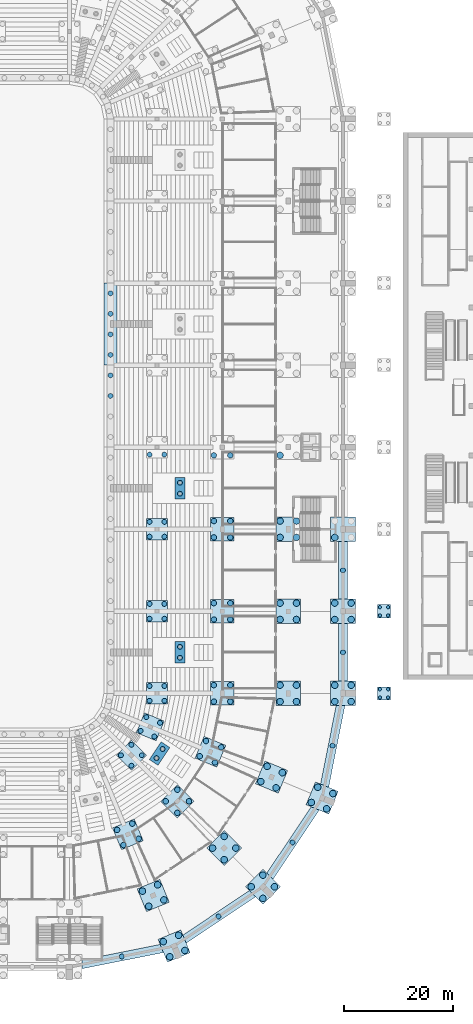
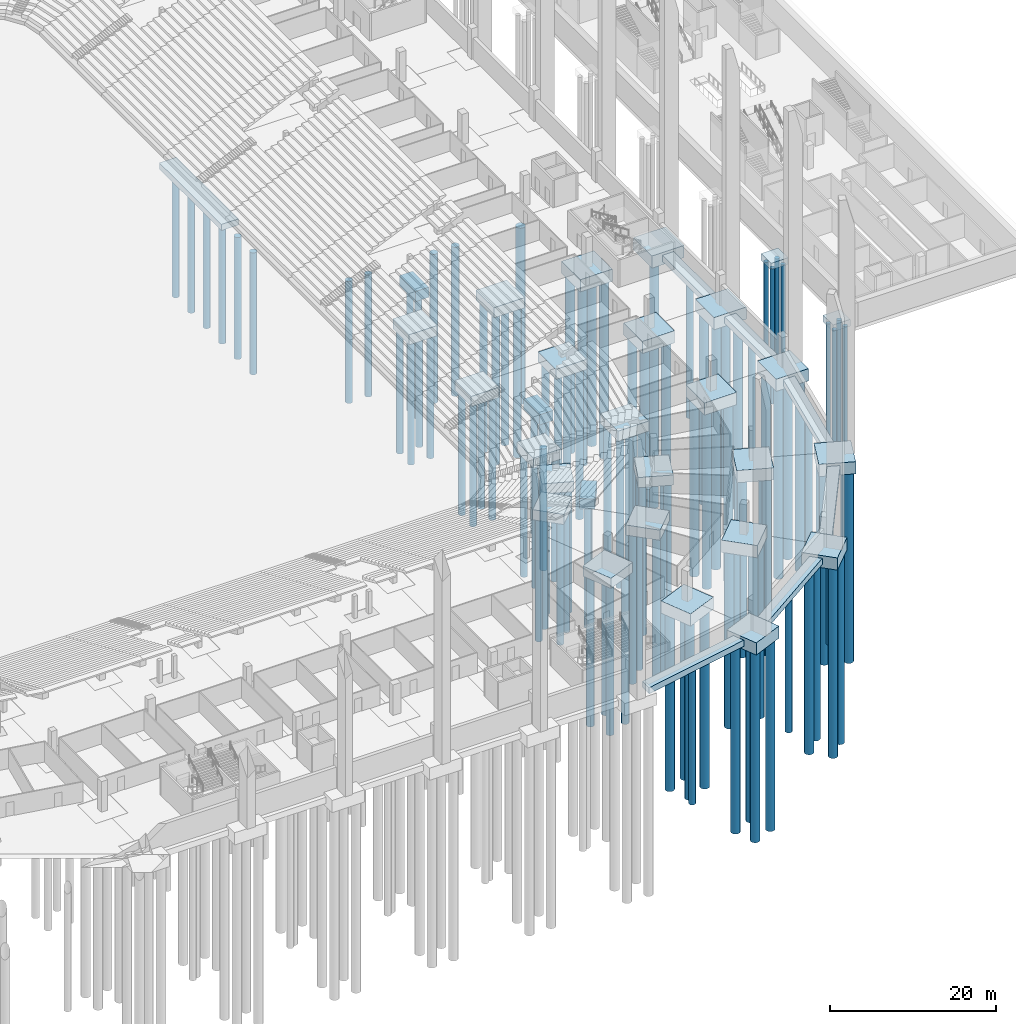
# One storey, part 4 of 115: 120 piles, 35 footings.
"""IFC4 building model written with IfcOpenShell, lengths in metres."""

from ifc_helpers import new_model, si_unit, direction, frame, origin, origin_2d, place, context, subcontext, project, spatial, polyline, rectangle, circle, outline, extrude, material, layer, layer_set, material_profile, profile_set, type_object, element, save


model = new_model("IFC4")

# Units and contexts
model_context = context("Model", 3, precision=1e-05, world=origin(), true_north=direction((0.0, 1.0)))
body_context = subcontext(model_context, "Body", "Model", "MODEL_VIEW")
ifc_project = project(units=[si_unit("LENGTHUNIT", "METRE"), si_unit("AREAUNIT", "SQUARE_METRE"), si_unit("VOLUMEUNIT", "CUBIC_METRE"), si_unit("PLANEANGLEUNIT", "RADIAN"), si_unit("MASSUNIT", "GRAM", prefix="KILO")], contexts=[model_context])

# Site, building, storey
site_placement = place(None, origin())
site = spatial("IfcSite", under=ifc_project, at=site_placement, CompositionType="ELEMENT")
building_placement = place(site_placement, origin())
building = spatial("IfcBuilding", under=site, at=building_placement, Name="Ogive Plaza Stadium", CompositionType="ELEMENT")
storey_placement = place(building_placement, frame((0.0, 0.0, -4.5)))
storey = spatial("IfcBuildingStorey", under=building, at=storey_placement, Name="B1", CompositionType="ELEMENT", Elevation=-4.5)

# Piles
ifc_material_1 = material(Name="Concrete C40/50", Category="concrete")
ifc_material_profile_1 = material_profile(ifc_material_1, circle(Radius=0.5, at=origin_2d()), Name="RC D1000")
ifc_profile_set_1 = profile_set([ifc_material_profile_1], Name="Concrete C40/50")
pile_type_1 = type_object("IfcPileType", Name="Bored pile D1000", PredefinedType="BORED", material=ifc_profile_set_1)
for number, where, z_axis, x_axis, name in (
    (1, (60.39990234375, -9.0, -1.5), (0.0, 0.0, -1.0), (1.0, 0.0, 0.0), "Bored pile F3:R05 1"),
    (2, (63.39990234375, -9.0, -1.5), (0.0, 0.0, -1.0), (1.0, 0.0, 0.0), "Bored pile F3:R05 3"),
    (3, (60.39990234375, -24.0, -1.5), (0.0, 0.0, -1.0), (1.0, 0.0, 0.0), "Bored pile F3:R06 1"),
    (4, (60.39990234375, -21.0, -1.5), (0.0, 0.0, -1.0), (1.0, 0.0, 0.0), "Bored pile F3:R06 2"),
    (5, (63.39990234375, -24.0, -1.5), (0.0, 0.0, -1.0), (1.0, 0.0, 0.0), "Bored pile F3:R06 3"),
    (6, (63.39990234375, -21.0, -1.5), (0.0, 0.0, -1.0), (1.0, 0.0, 0.0), "Bored pile F3:R06 4"),
    (7, (60.39990234375, -39.0, -1.5), (0.0, 0.0, -1.0), (1.0, 0.0, 0.0), "Bored pile F3:R07 1"),
    (8, (60.39990234375, -36.0, -1.5), (0.0, 0.0, -1.0), (1.0, 0.0, 0.0), "Bored pile F3:R07 2"),
    (9, (63.39990234375, -39.0, -1.5), (0.0, 0.0, -1.0), (1.0, 0.0, 0.0), "Bored pile F3:R07 3"),
    (10, (63.39990234375, -36.0, -1.5), (0.0, 0.0, -1.0), (1.0, 0.0, 0.0), "Bored pile F3:R07 4"),
    (11, (60.39990234375, -54.0, -1.5), (0.0, 0.0, -1.0), (1.0, 0.0, 0.0), "Bored pile F3:R08 1"),
    (12, (60.39990234375, -51.0, -1.5), (0.0, 0.0, -1.0), (1.0, 0.0, 0.0), "Bored pile F3:R08 2"),
    (13, (63.39990234375, -54.0, -1.5), (0.0, 0.0, -1.0), (1.0, 0.0, 0.0), "Bored pile F3:R08 3"),
    (14, (63.39990234375, -51.0, -1.5), (0.0, 0.0, -1.0), (1.0, 0.0, 0.0), "Bored pile F3:R08 4"),
    (15, (57.81640625, -63.98876953125, -1.5), (0.0, 0.0, -1.0), (1.0, 0.0, 0.0), "Bored pile F3:R09 1"),
    (16, (58.96435546875, -61.217041015625, -1.5), (0.0, 0.0, -1.0), (1.0, 0.0, 0.0), "Bored pile F3:R09 2"),
    (17, (60.588134765625, -65.13671875, -1.5), (0.0, 0.0, -1.0), (1.0, 0.0, 0.0), "Bored pile F3:R09 3"),
    (18, (61.736083984375, -62.364990234375, -1.5), (0.0, 0.0, -1.0), (1.0, 0.0, 0.0), "Bored pile F3:R09 4"),
    (19, (51.60693359375, -72.228271484375, -1.5), (0.0, 0.0, -1.0), (1.0, 0.0, 0.0), "Bored pile F3:R10 1"),
    (20, (53.728271484375, -70.10693359375, -1.5), (0.0, 0.0, -1.0), (1.0, 0.0, 0.0), "Bored pile F3:R10 2"),
    (21, (53.728271484375, -74.349609375, -1.5), (0.0, 0.0, -1.0), (1.0, 0.0, 0.0), "Bored pile F3:R10 3"),
    (22, (55.849609375, -72.228271484375, -1.5), (0.0, 0.0, -1.0), (1.0, 0.0, 0.0), "Bored pile F3:R10 4"),
    (23, (42.717041015625, -77.46435546875, -1.5), (0.0, 0.0, -1.0), (1.0, 0.0, 0.0), "Bored pile F3:R11 1"),
    (24, (45.48876953125, -76.31640625, -1.5), (0.0, 0.0, -1.0), (1.0, 0.0, 0.0), "Bored pile F3:R11 2"),
    (25, (43.864990234375, -80.236083984375, -1.5), (0.0, 0.0, -1.0), (1.0, 0.0, 0.0), "Bored pile F3:R11 3"),
    (26, (46.63671875, -79.088134765625, -1.5), (0.0, 0.0, -1.0), (1.0, 0.0, 0.0), "Bored pile F3:R11 4"),
):
    element("IfcPile", number, at=place(storey_placement, frame(where, z_axis=z_axis, x_axis=x_axis)), inside=storey, type_object=pile_type_1, Name=name, PredefinedType="BORED", context=body_context, shape_type="SweptSolid", body=[
        extrude(circle(Radius=0.5, at=origin_2d()), origin(), (0.0, 0.0, 1.0), 22.0),
    ])
ifc_material_2 = material(Name="Concrete C40/50", Category="concrete")
ifc_material_profile_2 = material_profile(ifc_material_2, circle(Radius=0.60009765625, at=origin_2d()), Name="RC D1200")
ifc_profile_set_2 = profile_set([ifc_material_profile_2], Name="Concrete C40/50")
pile_type_2 = type_object("IfcPileType", Name="Bored pile D1200", PredefinedType="BORED", material=ifc_profile_set_2)
for number, where, z_axis, x_axis, name in (
    (27, (72.5, -9.0, -1.800048828125), (0.0, 0.0, -1.0), (1.0, 0.0, 0.0), "Bored pile F4:R05 1"),
    (28, (72.5, -24.0, -1.800048828125), (0.0, 0.0, -1.0), (1.0, 0.0, 0.0), "Bored pile F4:R06 1"),
    (29, (72.5, -21.0, -1.800048828125), (0.0, 0.0, -1.0), (1.0, 0.0, 0.0), "Bored pile F4:R06 2"),
    (30, (75.5, -24.0, -1.800048828125), (0.0, 0.0, -1.0), (1.0, 0.0, 0.0), "Bored pile F4:R06 3"),
    (31, (75.5, -21.0, -1.800048828125), (0.0, 0.0, -1.0), (1.0, 0.0, 0.0), "Bored pile F4:R06 4"),
):
    element("IfcPile", number, at=place(storey_placement, frame(where, z_axis=z_axis, x_axis=x_axis)), inside=storey, type_object=pile_type_2, Name=name, PredefinedType="BORED", context=body_context, shape_type="SweptSolid", body=[
        extrude(circle(Radius=0.60009765625, at=origin_2d()), origin(), (0.0, 0.0, 1.0), 26.0),
    ])
pile_placement = place(storey_placement, frame((82.5, -24.0, -1.800048828125), z_axis=(0.0, 0.0, -1.0), x_axis=(1.0, 0.0, 0.0)))
element("IfcPile", 32, at=pile_placement, inside=storey, type_object=pile_type_2, Name="Bored pile F5:R06 1", PredefinedType="BORED", context=body_context, shape_type="SweptSolid", body=[
    extrude(circle(Radius=0.60009765625, at=origin_2d()), origin(), (0.0, 0.0, 1.0), 28.0),
])
for number, where, z_axis, x_axis, name in (
    (33, (72.5, -39.0, -1.800048828125), (0.0, 0.0, -1.0), (1.0, 0.0, 0.0), "Bored pile F4:R07 1"),
    (34, (72.5, -36.0, -1.800048828125), (0.0, 0.0, -1.0), (1.0, 0.0, 0.0), "Bored pile F4:R07 2"),
    (35, (75.5, -39.0, -1.800048828125), (0.0, 0.0, -1.0), (1.0, 0.0, 0.0), "Bored pile F4:R07 3"),
    (36, (75.5, -36.0, -1.800048828125), (0.0, 0.0, -1.0), (1.0, 0.0, 0.0), "Bored pile F4:R07 4"),
):
    element("IfcPile", number, at=place(storey_placement, frame(where, z_axis=z_axis, x_axis=x_axis)), inside=storey, type_object=pile_type_2, Name=name, PredefinedType="BORED", context=body_context, shape_type="SweptSolid", body=[
        extrude(circle(Radius=0.60009765625, at=origin_2d()), origin(), (0.0, 0.0, 1.0), 26.0),
    ])
for number, where, z_axis, x_axis, name in (
    (37, (82.5, -39.0, -1.800048828125), (0.0, 0.0, -1.0), (1.0, 0.0, 0.0), "Bored pile F5:R07 1"),
    (38, (82.5, -36.0, -1.800048828125), (0.0, 0.0, -1.0), (1.0, 0.0, 0.0), "Bored pile F5:R07 2"),
    (39, (85.5, -39.0, -1.800048828125), (0.0, 0.0, -1.0), (1.0, 0.0, 0.0), "Bored pile F5:R07 3"),
    (40, (85.5, -36.0, -1.800048828125), (0.0, 0.0, -1.0), (1.0, 0.0, 0.0), "Bored pile F5:R07 4"),
):
    element("IfcPile", number, at=place(storey_placement, frame(where, z_axis=z_axis, x_axis=x_axis)), inside=storey, type_object=pile_type_2, Name=name, PredefinedType="BORED", context=body_context, shape_type="SweptSolid", body=[
        extrude(circle(Radius=0.60009765625, at=origin_2d()), origin(), (0.0, 0.0, 1.0), 28.0),
    ])
for number, where, z_axis, x_axis, name in (
    (41, (72.5, -54.0, -1.800048828125), (0.0, 0.0, -1.0), (1.0, 0.0, 0.0), "Bored pile F4:R08 1"),
    (42, (72.5, -51.0, -1.800048828125), (0.0, 0.0, -1.0), (1.0, 0.0, 0.0), "Bored pile F4:R08 2"),
    (43, (75.5, -54.0, -1.800048828125), (0.0, 0.0, -1.0), (1.0, 0.0, 0.0), "Bored pile F4:R08 3"),
    (44, (75.5, -51.0, -1.800048828125), (0.0, 0.0, -1.0), (1.0, 0.0, 0.0), "Bored pile F4:R08 4"),
):
    element("IfcPile", number, at=place(storey_placement, frame(where, z_axis=z_axis, x_axis=x_axis)), inside=storey, type_object=pile_type_2, Name=name, PredefinedType="BORED", context=body_context, shape_type="SweptSolid", body=[
        extrude(circle(Radius=0.60009765625, at=origin_2d()), origin(), (0.0, 0.0, 1.0), 26.0),
    ])
for number, where, z_axis, x_axis, name in (
    (45, (82.5, -54.0, -1.800048828125), (0.0, 0.0, -1.0), (1.0, 0.0, 0.0), "Bored pile F5:R08 1"),
    (46, (82.5, -51.0, -1.800048828125), (0.0, 0.0, -1.0), (1.0, 0.0, 0.0), "Bored pile F5:R08 2"),
    (47, (85.5, -54.0, -1.800048828125), (0.0, 0.0, -1.0), (1.0, 0.0, 0.0), "Bored pile F5:R08 3"),
    (48, (85.5, -51.0, -1.800048828125), (0.0, 0.0, -1.0), (1.0, 0.0, 0.0), "Bored pile F5:R08 4"),
):
    element("IfcPile", number, at=place(storey_placement, frame(where, z_axis=z_axis, x_axis=x_axis)), inside=storey, type_object=pile_type_2, Name=name, PredefinedType="BORED", context=body_context, shape_type="SweptSolid", body=[
        extrude(circle(Radius=0.60009765625, at=origin_2d()), origin(), (0.0, 0.0, 1.0), 28.0),
    ])
for number, where, z_axis, x_axis, name in (
    (49, (68.995361328125, -68.619140625, -1.800048828125), (0.0, 0.0, -1.0), (1.0, 0.0, 0.0), "Bored pile F4:R09 1"),
    (50, (70.143310546875, -65.847412109375, -1.800048828125), (0.0, 0.0, -1.0), (1.0, 0.0, 0.0), "Bored pile F4:R09 2"),
    (51, (71.76708984375, -69.76708984375, -1.800048828125), (0.0, 0.0, -1.0), (1.0, 0.0, 0.0), "Bored pile F4:R09 3"),
    (52, (72.9150390625, -66.99560546875, -1.800048828125), (0.0, 0.0, -1.0), (1.0, 0.0, 0.0), "Bored pile F4:R09 4"),
):
    element("IfcPile", number, at=place(storey_placement, frame(where, z_axis=z_axis, x_axis=x_axis)), inside=storey, type_object=pile_type_2, Name=name, PredefinedType="BORED", context=body_context, shape_type="SweptSolid", body=[
        extrude(circle(Radius=0.60009765625, at=origin_2d()), origin(), (0.0, 0.0, 1.0), 26.0),
    ])
for number, where, z_axis, x_axis, name in (
    (53, (78.234130859375, -72.446044921875, -1.800048828125), (0.0, 0.0, -1.0), (1.0, 0.0, 0.0), "Bored pile F5:R09 1"),
    (54, (79.382080078125, -69.67431640625, -1.800048828125), (0.0, 0.0, -1.0), (1.0, 0.0, 0.0), "Bored pile F5:R09 2"),
    (55, (81.005859375, -73.593994140625, -1.800048828125), (0.0, 0.0, -1.0), (1.0, 0.0, 0.0), "Bored pile F5:R09 3"),
    (56, (82.15380859375, -70.822265625, -1.800048828125), (0.0, 0.0, -1.0), (1.0, 0.0, 0.0), "Bored pile F5:R09 4"),
):
    element("IfcPile", number, at=place(storey_placement, frame(where, z_axis=z_axis, x_axis=x_axis)), inside=storey, type_object=pile_type_2, Name=name, PredefinedType="BORED", context=body_context, shape_type="SweptSolid", body=[
        extrude(circle(Radius=0.60009765625, at=origin_2d()), origin(), (0.0, 0.0, 1.0), 28.0),
    ])
for number, where, z_axis, x_axis, name in (
    (57, (60.162841796875, -80.7841796875, -1.800048828125), (0.0, 0.0, -1.0), (1.0, 0.0, 0.0), "Bored pile F4:R10 1"),
    (58, (62.2841796875, -78.662841796875, -1.800048828125), (0.0, 0.0, -1.0), (1.0, 0.0, 0.0), "Bored pile F4:R10 2"),
    (59, (62.2841796875, -82.905517578125, -1.800048828125), (0.0, 0.0, -1.0), (1.0, 0.0, 0.0), "Bored pile F4:R10 3"),
    (60, (64.405517578125, -80.7841796875, -1.800048828125), (0.0, 0.0, -1.0), (1.0, 0.0, 0.0), "Bored pile F4:R10 4"),
):
    element("IfcPile", number, at=place(storey_placement, frame(where, z_axis=z_axis, x_axis=x_axis)), inside=storey, type_object=pile_type_2, Name=name, PredefinedType="BORED", context=body_context, shape_type="SweptSolid", body=[
        extrude(circle(Radius=0.60009765625, at=origin_2d()), origin(), (0.0, 0.0, 1.0), 26.0),
    ])
for number, where, z_axis, x_axis, name in (
    (61, (67.234130859375, -87.855224609375, -1.800048828125), (0.0, 0.0, -1.0), (1.0, 0.0, 0.0), "Bored pile F5:R10 1"),
    (62, (69.355224609375, -85.734130859375, -1.800048828125), (0.0, 0.0, -1.0), (1.0, 0.0, 0.0), "Bored pile F5:R10 2"),
    (63, (69.355224609375, -89.9765625, -1.800048828125), (0.0, 0.0, -1.0), (1.0, 0.0, 0.0), "Bored pile F5:R10 3"),
    (64, (71.4765625, -87.855224609375, -1.800048828125), (0.0, 0.0, -1.0), (1.0, 0.0, 0.0), "Bored pile F5:R10 4"),
):
    element("IfcPile", number, at=place(storey_placement, frame(where, z_axis=z_axis, x_axis=x_axis)), inside=storey, type_object=pile_type_2, Name=name, PredefinedType="BORED", context=body_context, shape_type="SweptSolid", body=[
        extrude(circle(Radius=0.60009765625, at=origin_2d()), origin(), (0.0, 0.0, 1.0), 28.0),
    ])
for number, where, z_axis, x_axis, name in (
    (65, (47.347412109375, -88.643310546875, -1.800048828125), (0.0, 0.0, -1.0), (1.0, 0.0, 0.0), "Bored pile F4:R11 1"),
    (66, (50.119140625, -87.495361328125, -1.800048828125), (0.0, 0.0, -1.0), (1.0, 0.0, 0.0), "Bored pile F4:R11 2"),
    (67, (48.49560546875, -91.4150390625, -1.800048828125), (0.0, 0.0, -1.0), (1.0, 0.0, 0.0), "Bored pile F4:R11 3"),
    (68, (51.26708984375, -90.26708984375, -1.800048828125), (0.0, 0.0, -1.0), (1.0, 0.0, 0.0), "Bored pile F4:R11 4"),
):
    element("IfcPile", number, at=place(storey_placement, frame(where, z_axis=z_axis, x_axis=x_axis)), inside=storey, type_object=pile_type_2, Name=name, PredefinedType="BORED", context=body_context, shape_type="SweptSolid", body=[
        extrude(circle(Radius=0.60009765625, at=origin_2d()), origin(), (0.0, 0.0, 1.0), 26.0),
    ])
for number, where, z_axis, x_axis, name in (
    (69, (51.17431640625, -97.882080078125, -1.800048828125), (0.0, 0.0, -1.0), (1.0, 0.0, 0.0), "Bored pile F5:R11 1"),
    (70, (53.946044921875, -96.734130859375, -1.800048828125), (0.0, 0.0, -1.0), (1.0, 0.0, 0.0), "Bored pile F5:R11 2"),
    (71, (52.322265625, -100.65380859375, -1.800048828125), (0.0, 0.0, -1.0), (1.0, 0.0, 0.0), "Bored pile F5:R11 3"),
    (72, (55.093994140625, -99.505859375, -1.800048828125), (0.0, 0.0, -1.0), (1.0, 0.0, 0.0), "Bored pile F5:R11 4"),
):
    element("IfcPile", number, at=place(storey_placement, frame(where, z_axis=z_axis, x_axis=x_axis)), inside=storey, type_object=pile_type_2, Name=name, PredefinedType="BORED", context=body_context, shape_type="SweptSolid", body=[
        extrude(circle(Radius=0.60009765625, at=origin_2d()), origin(), (0.0, 0.0, 1.0), 28.0),
    ])
ifc_material_3 = material(Name="Concrete C40/50", Category="concrete")
ifc_material_profile_3 = material_profile(ifc_material_3, circle(Radius=0.300048828125, at=origin_2d()), Name="RC D600")
ifc_profile_set_3 = profile_set([ifc_material_profile_3], Name="Concrete C40/50")
pile_type_3 = type_object("IfcPileType", Name="Bored pile D600", PredefinedType="BORED", material=ifc_profile_set_3)
for number, where, z_axis, x_axis, name in (
    (73, (90.75, -38.25, 3.3798828125), (0.0, 0.0, -1.0), (1.0, 0.0, 0.0), "Bored pile colonnade 07 1"),
    (74, (90.75, -36.75, 3.3798828125), (0.0, 0.0, -1.0), (1.0, 0.0, 0.0), "Bored pile colonnade 07 2"),
    (75, (92.25, -38.25, 3.3798828125), (0.0, 0.0, -1.0), (1.0, 0.0, 0.0), "Bored pile colonnade 07 3"),
    (76, (92.25, -36.75, 3.3798828125), (0.0, 0.0, -1.0), (1.0, 0.0, 0.0), "Bored pile colonnade 07 4"),
    (77, (90.75, -53.25, 3.3798828125), (0.0, 0.0, -1.0), (1.0, 0.0, 0.0), "Bored pile colonnade 08 1"),
    (78, (90.75, -51.75, 3.3798828125), (0.0, 0.0, -1.0), (1.0, 0.0, 0.0), "Bored pile colonnade 08 2"),
    (79, (92.25, -53.25, 3.3798828125), (0.0, 0.0, -1.0), (1.0, 0.0, 0.0), "Bored pile colonnade 08 3"),
    (80, (92.25, -51.75, 3.3798828125), (0.0, 0.0, -1.0), (1.0, 0.0, 0.0), "Bored pile colonnade 08 4"),
):
    element("IfcPile", number, at=place(storey_placement, frame(where, z_axis=z_axis, x_axis=x_axis)), inside=storey, type_object=pile_type_3, Name=name, PredefinedType="BORED", context=body_context, shape_type="SweptSolid", body=[
        extrude(circle(Radius=0.300048828125, at=origin_2d()), origin(), (0.0, 0.0, 1.0), 20.0),
    ])
ifc_material_4 = material(Name="Concrete C40/50", Category="concrete")
ifc_material_profile_4 = material_profile(ifc_material_4, circle(Radius=0.449951171875, at=origin_2d()), Name="RC D900")
ifc_profile_set_4 = profile_set([ifc_material_profile_4], Name="Concrete C40/50")
pile_type_4 = type_object("IfcPileType", Name="Bored pile D900", PredefinedType="BORED", material=ifc_profile_set_4)
for number, where, z_axis, x_axis, name in (
    (81, (48.64990234375, -8.85009765625, -1.5), (0.0, 0.0, -1.0), (1.0, 0.0, 0.0), "Bored pile F1:R05 1"),
    (82, (51.35009765625, -8.85009765625, -1.5), (0.0, 0.0, -1.0), (1.0, 0.0, 0.0), "Bored pile F1:R05 3"),
    (83, (48.64990234375, -23.85009765625, -1.5), (0.0, 0.0, -1.0), (1.0, 0.0, 0.0), "Bored pile F1:R06 1"),
    (84, (48.64990234375, -21.14990234375, -1.5), (0.0, 0.0, -1.0), (1.0, 0.0, 0.0), "Bored pile F1:R06 2"),
    (85, (51.35009765625, -23.85009765625, -1.5), (0.0, 0.0, -1.0), (1.0, 0.0, 0.0), "Bored pile F1:R06 3"),
    (86, (51.35009765625, -21.14990234375, -1.5), (0.0, 0.0, -1.0), (1.0, 0.0, 0.0), "Bored pile F1:R06 4"),
    (87, (48.64990234375, -38.85009765625, -1.5), (0.0, 0.0, -1.0), (1.0, 0.0, 0.0), "Bored pile F1:R07 1"),
    (88, (48.64990234375, -36.14990234375, -1.5), (0.0, 0.0, -1.0), (1.0, 0.0, 0.0), "Bored pile F1:R07 2"),
    (89, (51.35009765625, -38.85009765625, -1.5), (0.0, 0.0, -1.0), (1.0, 0.0, 0.0), "Bored pile F1:R07 3"),
    (90, (51.35009765625, -36.14990234375, -1.5), (0.0, 0.0, -1.0), (1.0, 0.0, 0.0), "Bored pile F1:R07 4"),
    (91, (48.64990234375, -53.85009765625, -1.5), (0.0, 0.0, -1.0), (1.0, 0.0, 0.0), "Bored pile F1:R08 1"),
    (92, (48.64990234375, -51.14990234375, -1.5), (0.0, 0.0, -1.0), (1.0, 0.0, 0.0), "Bored pile F1:R08 2"),
    (93, (51.35009765625, -53.85009765625, -1.5), (0.0, 0.0, -1.0), (1.0, 0.0, 0.0), "Bored pile F1:R08 3"),
    (94, (51.35009765625, -51.14990234375, -1.5), (0.0, 0.0, -1.0), (1.0, 0.0, 0.0), "Bored pile F1:R08 4"),
    (95, (47.018310546875, -59.353515625, -1.5), (0.0, 0.0, -1.0), (1.0, 0.0, 0.0), "Bored pile F1:R09 1"),
    (96, (48.051513671875, -56.859130859375, -1.5), (0.0, 0.0, -1.0), (1.0, 0.0, 0.0), "Bored pile F1:R09 2"),
    (97, (49.5126953125, -60.38671875, -1.5), (0.0, 0.0, -1.0), (1.0, 0.0, 0.0), "Bored pile F1:R09 3"),
    (98, (50.5458984375, -57.892333984375, -1.5), (0.0, 0.0, -1.0), (1.0, 0.0, 0.0), "Bored pile F1:R09 4"),
    (99, (43.404541015625, -63.813720703125, -1.5), (0.0, 0.0, -1.0), (1.0, 0.0, 0.0), "Bored pile F1:R10 1"),
    (100, (45.313720703125, -61.904541015625, -1.5), (0.0, 0.0, -1.0), (1.0, 0.0, 0.0), "Bored pile F1:R10 2"),
    (101, (45.313720703125, -65.722900390625, -1.5), (0.0, 0.0, -1.0), (1.0, 0.0, 0.0), "Bored pile F1:R10 3"),
    (102, (47.222900390625, -63.813720703125, -1.5), (0.0, 0.0, -1.0), (1.0, 0.0, 0.0), "Bored pile F1:R10 4"),
    (103, (41.5, 20.625, -1.300048828125), (0.0, 0.0, -1.0), (1.0, 0.0, 0.0), "Bored pile F0:B03 1"),
    (104, (41.5, 16.875, -1.300048828125), (0.0, 0.0, -1.0), (1.0, 0.0, 0.0), "Bored pile F0:B03 2"),
    (105, (41.5, 13.125, -1.300048828125), (0.0, 0.0, -1.0), (1.0, 0.0, 0.0), "Bored pile F0:B03 3"),
    (106, (41.5, 9.375, -1.300048828125), (0.0, 0.0, -1.0), (1.0, 0.0, 0.0), "Bored pile F0:B03 4"),
    (107, (41.5, 5.625, -1.300048828125), (0.0, 0.0, -1.0), (1.0, 0.0, 0.0), "Bored pile F0:B04 1"),
    (108, (41.5, 1.875, -1.300048828125), (0.0, 0.0, -1.0), (1.0, 0.0, 0.0), "Bored pile F0:B04 2"),
):
    element("IfcPile", number, at=place(storey_placement, frame(where, z_axis=z_axis, x_axis=x_axis)), inside=storey, type_object=pile_type_4, Name=name, PredefinedType="BORED", context=body_context, shape_type="SweptSolid", body=[
        extrude(circle(Radius=0.449951171875, at=origin_2d()), origin(), (0.0, 0.0, 1.0), 18.0),
    ])
for number, where, z_axis, x_axis, name in (
    (109, (84.0, -30.0, -1.300048828125), (0.0, 0.0, -1.0), (1.0, 0.0, 0.0), "Bored pile RET:B06 1"),
    (110, (84.0, -45.0, -1.300048828125), (0.0, 0.0, -1.0), (1.0, 0.0, 0.0), "Bored pile RET:B07 1"),
    (111, (82.102294921875, -62.068115234375, -1.300048828125), (0.0, 0.0, -1.0), (1.0, 0.0, 0.0), "Bored pile RET:B08 1"),
    (112, (74.779296875, -79.747802734375, -1.300048828125), (0.0, 0.0, -1.0), (1.0, 0.0, 0.0), "Bored pile RET:B09 1"),
    (113, (61.247802734375, -93.279296875, -1.300048828125), (0.0, 0.0, -1.0), (1.0, 0.0, 0.0), "Bored pile RET:B10 1"),
    (114, (43.568115234375, -100.602294921875, -1.300048828125), (0.0, 0.0, -1.0), (1.0, 0.0, 0.0), "Bored pile RET:B11 1"),
):
    element("IfcPile", number, at=place(storey_placement, frame(where, z_axis=z_axis, x_axis=x_axis)), inside=storey, type_object=pile_type_4, Name=name, PredefinedType="BORED", context=body_context, shape_type="SweptSolid", body=[
        extrude(circle(Radius=0.449951171875, at=origin_2d()), origin(), (0.0, 0.0, 1.0), 20.0),
    ])
for number, where, z_axis, x_axis, name in (
    (115, (54.199951171875, -16.0, -1.5), (0.0, 0.0, -1.0), (1.0, 0.0, 0.0), "Bored pile F1V:B05 1"),
    (116, (54.199951171875, -14.0, -1.5), (0.0, 0.0, -1.0), (1.0, 0.0, 0.0), "Bored pile F1V:B05 2"),
    (117, (54.199951171875, -46.0, -1.5), (0.0, 0.0, -1.0), (1.0, 0.0, 0.0), "Bored pile F1V:B07 1"),
    (118, (54.199951171875, -44.0, -1.5), (0.0, 0.0, -1.0), (1.0, 0.0, 0.0), "Bored pile F1V:B07 2"),
    (119, (49.91748046875, -64.33837890625, -1.5), (0.0, 0.0, -1.0), (1.0, 0.0, 0.0), "Bored pile F1V:B09 1"),
    (120, (51.028564453125, -62.67529296875, -1.5), (0.0, 0.0, -1.0), (1.0, 0.0, 0.0), "Bored pile F1V:B09 2"),
):
    element("IfcPile", number, at=place(storey_placement, frame(where, z_axis=z_axis, x_axis=x_axis)), inside=storey, type_object=pile_type_4, Name=name, PredefinedType="BORED", context=body_context, shape_type="SweptSolid", body=[
        extrude(circle(Radius=0.449951171875, at=origin_2d()), origin(), (0.0, 0.0, 1.0), 18.0),
    ])

# Footings
ifc_material_5 = material(Name="Concrete C40/50", Category="concrete")
ifc_layer_1 = layer(ifc_material_5, 1.0)
ifc_layer_set_1 = layer_set([ifc_layer_1], Name="Concrete C40/50")
footing_type_1 = type_object("IfcFootingType", Name="Colonnade pile cap 2400x1000", PredefinedType="PILE_CAP", material=ifc_layer_set_1)
for number, where, z_axis, x_axis, name in (
    (121, (91.5, -37.5, 3.3798828125), (0.0, 0.0, 1.0), (1.0, 0.0, 0.0), "Colonnade pile cap R07"),
    (122, (91.5, -52.5, 3.3798828125), (0.0, 0.0, 1.0), (1.0, 0.0, 0.0), "Colonnade pile cap R08"),
):
    element("IfcFooting", number, at=place(storey_placement, frame(where, z_axis=z_axis, x_axis=x_axis)), inside=storey, type_object=footing_type_1, Name=name, PredefinedType="PILE_CAP", context=body_context, shape_type="SweptSolid", body=[
        extrude(rectangle(XDim=2.39990234375, YDim=2.39990234375, at=origin_2d()), origin(), (0.0, 0.0, 1.0), 1.0),
    ])
ifc_material_6 = material(Name="Concrete C40/50", Category="concrete")
ifc_layer_2 = layer(ifc_material_6, 1.5)
ifc_layer_set_2 = layer_set([ifc_layer_2], Name="Concrete C40/50")
footing_type_2 = type_object("IfcFootingType", Name="Pile cap F1 3900x1500", PredefinedType="PILE_CAP", material=ifc_layer_set_2)
for number, where, z_axis, x_axis, name in (
    (123, (50.0, -22.5, -1.5), (0.0, 0.0, 1.0), (1.0, 0.0, 0.0), "Pile cap F1 R06"),
    (124, (50.0, -37.5, -1.5), (0.0, 0.0, 1.0), (1.0, 0.0, 0.0), "Pile cap F1 R07"),
    (125, (50.0, -52.5, -1.5), (0.0, 0.0, 1.0), (1.0, 0.0, 0.0), "Pile cap F1 R08"),
    (126, (48.781982421875, -58.623046875, -1.5), (0.0, 0.0, 1.0), (0.923879532511, -0.382683432365, 0.0), "Pile cap F1 R09"),
    (127, (45.313720703125, -63.813720703125, -1.5), (0.0, 0.0, 1.0), (0.707106781187, -0.707106781187, 0.0), "Pile cap F1 R10"),
):
    element("IfcFooting", number, at=place(storey_placement, frame(where, z_axis=z_axis, x_axis=x_axis)), inside=storey, type_object=footing_type_2, Name=name, PredefinedType="PILE_CAP", context=body_context, shape_type="SweptSolid", body=[
        extrude(rectangle(XDim=3.89990234375, YDim=3.89990234375, at=origin_2d()), origin(), (0.0, 0.0, 1.0), 1.5),
    ])
ifc_material_7 = material(Name="Concrete C40/50", Category="concrete")
ifc_layer_3 = layer(ifc_material_7, 1.5)
ifc_layer_set_3 = layer_set([ifc_layer_3], Name="Concrete C40/50")
footing_type_3 = type_object("IfcFootingType", Name="Pile cap F1V 1900x3900", PredefinedType="PILE_CAP", material=ifc_layer_set_3)
for number, where, z_axis, x_axis, name in (
    (128, (54.199951171875, -15.0, -1.5), (0.0, 0.0, 1.0), (1.0, 0.0, 0.0), "Pile cap F1V B05"),
    (129, (54.199951171875, -45.0, -1.5), (0.0, 0.0, 1.0), (1.0, 0.0, 0.0), "Pile cap F1V B07"),
    (130, (50.472900390625, -63.5068359375, -1.5), (0.0, 0.0, 1.0), (0.831469612303, -0.55557023302, 0.0), "Pile cap F1V B09"),
):
    element("IfcFooting", number, at=place(storey_placement, frame(where, z_axis=z_axis, x_axis=x_axis)), inside=storey, type_object=footing_type_3, Name=name, PredefinedType="PILE_CAP", context=body_context, shape_type="SweptSolid", body=[
        extrude(rectangle(XDim=1.89990234375, YDim=3.89990234375, at=origin_2d()), origin(), (0.0, 0.0, 1.0), 1.5),
    ])
ifc_material_8 = material(Name="Concrete C40/50", Category="concrete")
ifc_layer_4 = layer(ifc_material_8, 1.5)
ifc_layer_set_4 = layer_set([ifc_layer_4], Name="Concrete C40/50")
footing_type_4 = type_object("IfcFootingType", Name="Pile cap F3 4300x1500", PredefinedType="PILE_CAP", material=ifc_layer_set_4)
for number, where, z_axis, x_axis, name in (
    (131, (61.89990234375, -22.5, -1.5), (0.0, 0.0, 1.0), (1.0, 0.0, 0.0), "Pile cap F3 R06"),
    (132, (61.89990234375, -37.5, -1.5), (0.0, 0.0, 1.0), (1.0, 0.0, 0.0), "Pile cap F3 R07"),
    (133, (61.89990234375, -52.5, -1.5), (0.0, 0.0, 1.0), (1.0, 0.0, 0.0), "Pile cap F3 R08"),
    (134, (59.776123046875, -63.1767578125, -1.5), (0.0, 0.0, 1.0), (0.923879532511, -0.382683432365, 0.0), "Pile cap F3 R09"),
    (135, (53.728271484375, -72.228271484375, -1.5), (0.0, 0.0, 1.0), (0.707106781187, -0.707106781187, 0.0), "Pile cap F3 R10"),
    (136, (44.6767578125, -78.276123046875, -1.5), (0.0, 0.0, 1.0), (0.382683432365, -0.923879532511, 0.0), "Pile cap F3 R11"),
):
    element("IfcFooting", number, at=place(storey_placement, frame(where, z_axis=z_axis, x_axis=x_axis)), inside=storey, type_object=footing_type_4, Name=name, PredefinedType="PILE_CAP", context=body_context, shape_type="SweptSolid", body=[
        extrude(rectangle(XDim=4.300048828125, YDim=4.300048828125, at=origin_2d()), origin(), (0.0, 0.0, 1.0), 1.5),
    ])
ifc_material_9 = material(Name="Concrete C40/50", Category="concrete")
ifc_layer_5 = layer(ifc_material_9, 1.800048828125)
ifc_layer_set_5 = layer_set([ifc_layer_5], Name="Concrete C40/50")
footing_type_5 = type_object("IfcFootingType", Name="Pile cap F4 4500x1800", PredefinedType="PILE_CAP", material=ifc_layer_set_5)
for number, where, z_axis, x_axis, name in (
    (137, (74.0, -22.5, -1.7998046875), (0.0, 0.0, 1.0), (1.0, 0.0, 0.0), "Pile cap F4 R06"),
    (138, (74.0, -37.5, -1.7998046875), (0.0, 0.0, 1.0), (1.0, 0.0, 0.0), "Pile cap F4 R07"),
    (139, (74.0, -52.5, -1.7998046875), (0.0, 0.0, 1.0), (1.0, 0.0, 0.0), "Pile cap F4 R08"),
    (140, (70.955078125, -67.807373046875, -1.7998046875), (0.0, 0.0, 1.0), (0.923879532511, -0.382683432365, 0.0), "Pile cap F4 R09"),
    (141, (62.2841796875, -80.7841796875, -1.7998046875), (0.0, 0.0, 1.0), (0.707106781187, -0.707106781187, 0.0), "Pile cap F4 R10"),
    (142, (49.307373046875, -89.455078125, -1.7998046875), (0.0, 0.0, 1.0), (0.382683432365, -0.923879532511, 0.0), "Pile cap F4 R11"),
):
    element("IfcFooting", number, at=place(storey_placement, frame(where, z_axis=z_axis, x_axis=x_axis)), inside=storey, type_object=footing_type_5, Name=name, PredefinedType="PILE_CAP", context=body_context, shape_type="SweptSolid", body=[
        extrude(rectangle(XDim=4.5, YDim=4.5, at=origin_2d()), origin(), (0.0, 0.0, 1.0), 1.800048828125),
    ])
ifc_material_10 = material(Name="Concrete C40/50", Category="concrete")
ifc_layer_6 = layer(ifc_material_10, 1.800048828125)
ifc_layer_set_6 = layer_set([ifc_layer_6], Name="Concrete C40/50")
footing_type_6 = type_object("IfcFootingType", Name="Pile cap F5 4500x1800", PredefinedType="PILE_CAP", material=ifc_layer_set_6)
for number, where, z_axis, x_axis, name in (
    (143, (84.0, -22.5, -1.7998046875), (0.0, 0.0, 1.0), (1.0, 0.0, 0.0), "Pile cap F5 R06"),
    (144, (84.0, -37.5, -1.7998046875), (0.0, 0.0, 1.0), (1.0, 0.0, 0.0), "Pile cap F5 R07"),
    (145, (84.0, -52.5, -1.7998046875), (0.0, 0.0, 1.0), (1.0, 0.0, 0.0), "Pile cap F5 R08"),
    (146, (80.194091796875, -71.63427734375, -1.7998046875), (0.0, 0.0, 1.0), (0.923879532511, -0.382683432365, 0.0), "Pile cap F5 R09"),
    (147, (69.355224609375, -87.855224609375, -1.7998046875), (0.0, 0.0, 1.0), (0.707106781187, -0.707106781187, 0.0), "Pile cap F5 R10"),
    (148, (53.13427734375, -98.694091796875, -1.7998046875), (0.0, 0.0, 1.0), (0.382683432365, -0.923879532511, 0.0), "Pile cap F5 R11"),
):
    element("IfcFooting", number, at=place(storey_placement, frame(where, z_axis=z_axis, x_axis=x_axis)), inside=storey, type_object=footing_type_6, Name=name, PredefinedType="PILE_CAP", context=body_context, shape_type="SweptSolid", body=[
        extrude(rectangle(XDim=4.5, YDim=4.5, at=origin_2d()), origin(), (0.0, 0.0, 1.0), 1.800048828125),
    ])
ifc_material_11 = material(Name="Concrete C40/50", Category="concrete")
ifc_layer_7 = layer(ifc_material_11, 0.89990234375)
ifc_layer_set_7 = layer_set([ifc_layer_7], Name="Concrete C40/50")
footing_type_7 = type_object("IfcFootingType", Name="Strip footing F0 900", PredefinedType="STRIP_FOOTING", material=ifc_layer_set_7)
footing_1_placement = place(storey_placement, frame((0.0, 0.0, -1.300048828125)))
element("IfcFooting", 149, at=footing_1_placement, inside=storey, type_object=footing_type_7, Name="Strip footing F0 B03", PredefinedType="STRIP_FOOTING", context=body_context, shape_type="SweptSolid", body=[
    extrude(outline(polyline([(40.300048828125, 7.5), (42.699951171875, 7.5), (42.699951171875, 22.5), (40.300048828125, 22.5), (40.300048828125, 7.5)])), origin(), (0.0, 0.0, 1.0), 0.900146484375),
])
ifc_material_12 = material(Name="Concrete C40/50", Category="concrete")
ifc_layer_8 = layer(ifc_material_12, 0.89990234375)
ifc_layer_set_8 = layer_set([ifc_layer_8], Name="Concrete C40/50")
footing_type_8 = type_object("IfcFootingType", Name="Strip footing RET 900", PredefinedType="STRIP_FOOTING", material=ifc_layer_set_8)
footing_2_placement = place(storey_placement, frame((0.0, 0.0, -1.300048828125)))
element("IfcFooting", 150, at=footing_2_placement, inside=storey, type_object=footing_type_8, Name="Strip footing retaining wall B06", PredefinedType="STRIP_FOOTING", context=body_context, shape_type="SweptSolid", body=[
    extrude(outline(polyline([(83.199951171875, -35.25), (84.800048828125, -35.25), (84.800048828125, -24.75), (83.199951171875, -24.75), (83.199951171875, -35.25)])), origin(), (0.0, 0.0, 1.0), 0.900146484375),
])
footing_3_placement = place(storey_placement, frame((0.0, 0.0, -1.300048828125)))
element("IfcFooting", 151, at=footing_3_placement, inside=storey, type_object=footing_type_8, Name="Strip footing retaining wall B07", PredefinedType="STRIP_FOOTING", context=body_context, shape_type="SweptSolid", body=[
    extrude(outline(polyline([(83.199951171875, -50.25), (84.800048828125, -50.25), (84.800048828125, -39.75), (83.199951171875, -39.75), (83.199951171875, -50.25)])), origin(), (0.0, 0.0, 1.0), 0.900146484375),
])
footing_4_placement = place(storey_placement, frame((0.0, 0.0, -1.300048828125)))
element("IfcFooting", 152, at=footing_4_placement, inside=storey, type_object=footing_type_8, Name="Strip footing retaining wall B08", PredefinedType="STRIP_FOOTING", context=body_context, shape_type="SweptSolid", body=[
    extrude(outline(polyline([(79.90234375, -69.078125), (81.380615234375, -69.6904296875), (84.3525390625, -54.75), (82.75244140625, -54.75), (79.90234375, -69.078125)])), origin(), (0.0, 0.0, 1.0), 0.900146484375),
])
footing_5_placement = place(storey_placement, frame((0.0, 0.0, -1.300048828125)))
element("IfcFooting", 153, at=footing_5_placement, inside=storey, type_object=footing_type_8, Name="Strip footing retaining wall B09", PredefinedType="STRIP_FOOTING", context=body_context, shape_type="SweptSolid", body=[
    extrude(outline(polyline([(70.064208984375, -85.382080078125), (71.195556640625, -86.513671875), (79.658447265625, -73.84765625), (78.180419921875, -73.235595703125), (70.064208984375, -85.382080078125)])), origin(), (0.0, 0.0, 1.0), 0.900146484375),
])
footing_6_placement = place(storey_placement, frame((0.0, 0.0, -1.300048828125)))
element("IfcFooting", 154, at=footing_6_placement, inside=storey, type_object=footing_type_8, Name="Strip footing retaining wall B10", PredefinedType="STRIP_FOOTING", context=body_context, shape_type="SweptSolid", body=[
    extrude(outline(polyline([(54.735595703125, -96.680419921875), (55.34765625, -98.158447265625), (68.013671875, -89.695556640625), (66.882080078125, -88.564208984375), (54.735595703125, -96.680419921875)])), origin(), (0.0, 0.0, 1.0), 0.900146484375),
])
footing_7_placement = place(storey_placement, frame((0.0, 0.0, -1.300048828125)))
element("IfcFooting", 155, at=footing_7_placement, inside=storey, type_object=footing_type_8, Name="Strip footing retaining wall B11", PredefinedType="STRIP_FOOTING", context=body_context, shape_type="SweptSolid", body=[
    extrude(outline(polyline([(36.25, -101.25244140625), (36.25, -102.8525390625), (51.1904296875, -99.880615234375), (50.578125, -98.40234375), (36.25, -101.25244140625)])), origin(), (0.0, 0.0, 1.0), 0.900146484375),
])

save(model, "model.ifc")
